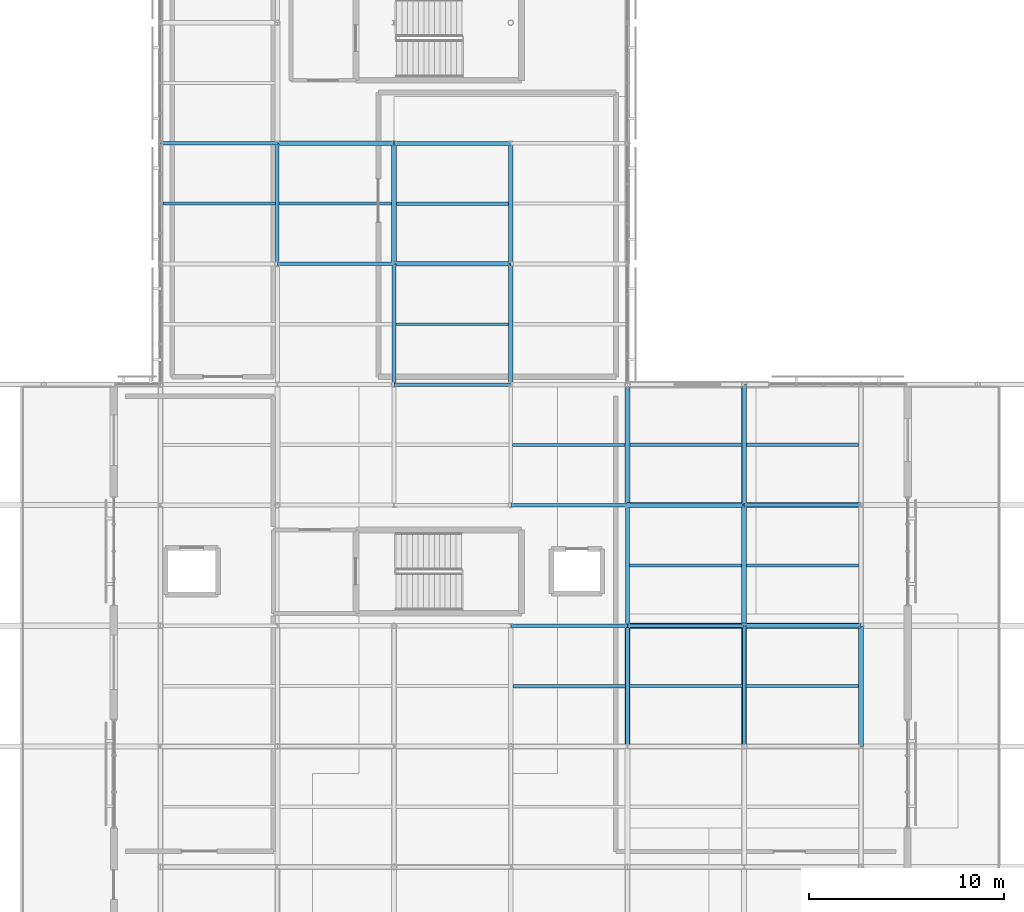
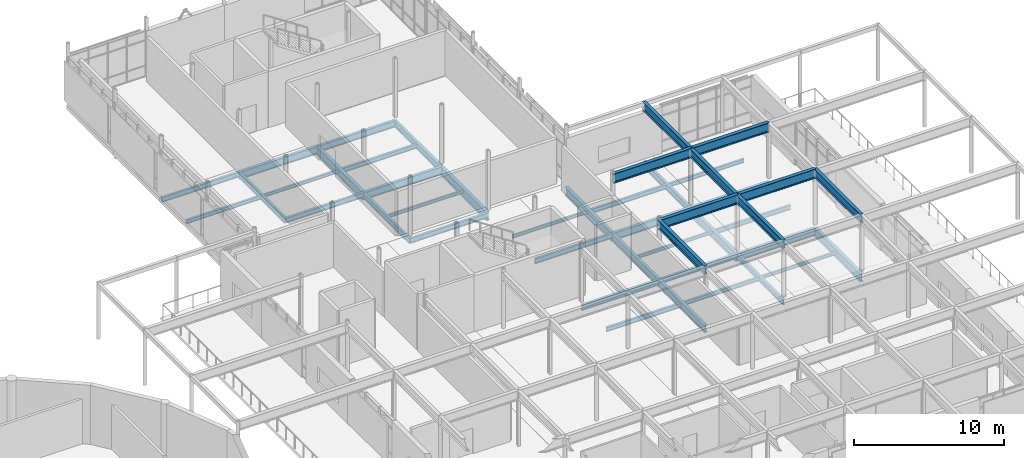
# One storey, part 30 of 48: 45 beams.
"""IFC4 building model written with IfcOpenShell, lengths in metres."""

from ifc_helpers import new_model, si_unit, direction, frame, origin, origin_2d, place, context, subcontext, project, spatial, i_section, extrude, material, material_profile, profile_set, type_object, element, save


model = new_model("IFC4")

# Units and contexts
model_context = context("Model", 3, precision=1e-05, world=origin(), true_north=direction((0.0, 1.0)))
body_context = subcontext(model_context, "Body", "Model", "MODEL_VIEW")
ifc_project = project(units=[si_unit("LENGTHUNIT", "METRE"), si_unit("AREAUNIT", "SQUARE_METRE"), si_unit("VOLUMEUNIT", "CUBIC_METRE"), si_unit("PLANEANGLEUNIT", "RADIAN"), si_unit("MASSUNIT", "GRAM", prefix="KILO")], contexts=[model_context])

# Site, building, storey
site_placement = place(None, origin())
site = spatial("IfcSite", under=ifc_project, at=site_placement, CompositionType="ELEMENT")
building_placement = place(site_placement, origin())
building = spatial("IfcBuilding", under=site, at=building_placement, Name="Mirzam Square Science Centre", CompositionType="ELEMENT")
storey_placement = place(building_placement, frame((0.0, 0.0, 20.39990234375)))
storey = spatial("IfcBuildingStorey", under=building, at=storey_placement, Name="L04", CompositionType="ELEMENT", Elevation=20.39990234375)

# Beams
ifc_material = material(Name="Steel S355", Category="steel")
ifc_material_profile_1 = material_profile(ifc_material, i_section(OverallWidth=0.1787109375, OverallDepth=0.409423828125, WebThickness=0.0087890625, FlangeThickness=0.014404296875, FilletRadius=0.01025390625, at=origin_2d()), Name="406x178x67UB")
ifc_profile_set_1 = profile_set([ifc_material_profile_1], Name="Steel S355")
beam_type_1 = type_object("IfcBeamType", Name="BM-UB406", PredefinedType="BEAM", material=ifc_profile_set_1)
for number, where, z_axis, x_axis, name in (
    (1, (138.0, 74.39990234375, -0.45458984375), (1.0, 0.0, 0.0), (0.0, 1.0, 0.0), "L04 girder X24-13"),
    (2, (132.0, 80.60009765625, -0.45458984375), (1.0, 0.0, 0.0), (0.0, 1.0, 0.0), "L04 girder X23-14"),
    (3, (126.0, 86.800048828125, -0.45458984375), (1.0, 0.0, 0.0), (0.0, 1.0, 0.0), "L04 girder X22-15"),
    (4, (120.0, 93.0, -0.45458984375), (1.0, 0.0, 0.0), (0.0, 1.0, 0.0), "L04 girder X21-16"),
    (5, (114.0, 99.199951171875, -0.45458984375), (1.0, 0.0, 0.0), (0.0, 1.0, 0.0), "L04 girder X20-17"),
):
    element("IfcBeam", number, at=place(storey_placement, frame(where, z_axis=z_axis, x_axis=x_axis)), inside=storey, type_object=beam_type_1, Name=name, PredefinedType="BEAM", context=body_context, shape_type="SweptSolid", body=[
        extrude(i_section(OverallWidth=0.1787109375, OverallDepth=0.409423828125, WebThickness=0.0087890625, FlangeThickness=0.014404296875, FilletRadius=0.01025390625, at=origin_2d()), origin(), (0.0, 0.0, 1.0), 6.0),
    ])
ifc_material_profile_2 = material_profile(ifc_material, i_section(OverallWidth=0.19140625, OverallDepth=0.4599609375, WebThickness=0.010009765625, FlangeThickness=0.01611328125, FilletRadius=0.01025390625, at=origin_2d()), Name="457x191x82UB")
ifc_profile_set_2 = profile_set([ifc_material_profile_2], Name="Steel S355")
beam_type_2 = type_object("IfcBeamType", Name="BM-UB457", PredefinedType="BEAM", material=ifc_profile_set_2)
beam_1_placement = place(storey_placement, frame((132.0, 74.39990234375, -0.47998046875), z_axis=(1.0, 0.0, 0.0), x_axis=(0.0, 1.0, 0.0)))
element("IfcBeam", 6, at=beam_1_placement, inside=storey, type_object=beam_type_2, Name="L04 girder X23-13", PredefinedType="BEAM", context=body_context, shape_type="SweptSolid", body=[
    extrude(i_section(OverallWidth=0.19140625, OverallDepth=0.4599609375, WebThickness=0.010009765625, FlangeThickness=0.01611328125, FilletRadius=0.01025390625, at=origin_2d()), origin(), (0.0, 0.0, 1.0), 6.0),
])
for number, where, z_axis, x_axis, name in (
    (7, (120.0, 93.0, -0.47998046875), (0.0, 1.0, 0.0), (-1.0, 0.0, 0.0), "L04 girder Y21-16"),
    (8, (126.0, 86.800048828125, -0.47998046875), (0.0, 1.0, 0.0), (-1.0, 0.0, 0.0), "L04 girder Y22-15"),
    (9, (144.0, 68.199951171875, -0.47998046875), (0.0, 1.0, 0.0), (-1.0, 0.0, 0.0), "L04 girder Y25-12"),
):
    element("IfcBeam", number, at=place(storey_placement, frame(where, z_axis=z_axis, x_axis=x_axis)), inside=storey, type_object=beam_type_2, Name=name, PredefinedType="BEAM", context=body_context, shape_type="SweptSolid", body=[
        extrude(i_section(OverallWidth=0.19140625, OverallDepth=0.4599609375, WebThickness=0.010009765625, FlangeThickness=0.01611328125, FilletRadius=0.01025390625, at=origin_2d()), origin(), (0.0, 0.0, 1.0), 6.199951171875),
    ])
ifc_material_profile_3 = material_profile(ifc_material, i_section(OverallWidth=0.2099609375, OverallDepth=0.53662109375, WebThickness=0.0107421875, FlangeThickness=0.017333984375, FilletRadius=0.0126953125, at=origin_2d()), Name="533x210x101UB")
ifc_profile_set_3 = profile_set([ifc_material_profile_3], Name="Steel S355")
beam_type_3 = type_object("IfcBeamType", Name="BM-UB533", PredefinedType="BEAM", material=ifc_profile_set_3)
for number, where, z_axis, x_axis, name in (
    (10, (144.0, 80.60009765625, -0.518310546875), (1.0, 0.0, 0.0), (0.0, 1.0, 0.0), "L04 girder X25-14"),
    (11, (126.0, 99.199951171875, -0.518310546875), (1.0, 0.0, 0.0), (0.0, 1.0, 0.0), "L04 girder X22-17"),
):
    element("IfcBeam", number, at=place(storey_placement, frame(where, z_axis=z_axis, x_axis=x_axis)), inside=storey, type_object=beam_type_3, Name=name, PredefinedType="BEAM", context=body_context, shape_type="SweptSolid", body=[
        extrude(i_section(OverallWidth=0.2099609375, OverallDepth=0.53662109375, WebThickness=0.0107421875, FlangeThickness=0.017333984375, FilletRadius=0.0126953125, at=origin_2d()), origin(), (0.0, 0.0, 1.0), 6.0),
    ])
for number, where, z_axis, x_axis, name in (
    (12, (132.0, 93.0, -0.518310546875), (0.0, 1.0, 0.0), (-1.0, 0.0, 0.0), "L04 girder Y23-16"),
    (13, (144.0, 80.60009765625, -0.518310546875), (0.0, 1.0, 0.0), (-1.0, 0.0, 0.0), "L04 girder Y25-14"),
):
    element("IfcBeam", number, at=place(storey_placement, frame(where, z_axis=z_axis, x_axis=x_axis)), inside=storey, type_object=beam_type_3, Name=name, PredefinedType="BEAM", context=body_context, shape_type="SweptSolid", body=[
        extrude(i_section(OverallWidth=0.2099609375, OverallDepth=0.53662109375, WebThickness=0.0107421875, FlangeThickness=0.017333984375, FilletRadius=0.0126953125, at=origin_2d()), origin(), (0.0, 0.0, 1.0), 6.199951171875),
    ])
ifc_material_profile_4 = material_profile(ifc_material, i_section(OverallWidth=0.22900390625, OverallDepth=0.6123046875, WebThickness=0.011962890625, FlangeThickness=0.01953125, FilletRadius=0.0126953125, at=origin_2d()), Name="610x229x125UB")
ifc_profile_set_4 = profile_set([ifc_material_profile_4], Name="Steel S355")
beam_type_4 = type_object("IfcBeamType", Name="BM-UB610", PredefinedType="BEAM", material=ifc_profile_set_4)
for number, where, z_axis, x_axis, name in (
    (14, (144.0, 74.39990234375, -0.555908203125), (1.0, 0.0, 0.0), (0.0, 1.0, 0.0), "L04 girder X25-13"),
    (15, (138.0, 80.60009765625, -0.555908203125), (1.0, 0.0, 0.0), (0.0, 1.0, 0.0), "L04 girder X24-14"),
    (16, (126.0, 93.0, -0.555908203125), (1.0, 0.0, 0.0), (0.0, 1.0, 0.0), "L04 girder X22-16"),
    (17, (120.0, 99.199951171875, -0.555908203125), (1.0, 0.0, 0.0), (0.0, 1.0, 0.0), "L04 girder X21-17"),
):
    element("IfcBeam", number, at=place(storey_placement, frame(where, z_axis=z_axis, x_axis=x_axis)), inside=storey, type_object=beam_type_4, Name=name, PredefinedType="BEAM", context=body_context, shape_type="SweptSolid", body=[
        extrude(i_section(OverallWidth=0.22900390625, OverallDepth=0.6123046875, WebThickness=0.011962890625, FlangeThickness=0.01953125, FilletRadius=0.0126953125, at=origin_2d()), origin(), (0.0, 0.0, 1.0), 6.0),
    ])
beam_2_placement = place(storey_placement, frame((138.0, 68.199951171875, -0.555908203125), z_axis=(0.0, 1.0, 0.0), x_axis=(-1.0, 0.0, 0.0)))
element("IfcBeam", 18, at=beam_2_placement, inside=storey, type_object=beam_type_4, Name="L04 girder Y24-12", PredefinedType="BEAM", context=body_context, shape_type="SweptSolid", body=[
    extrude(i_section(OverallWidth=0.22900390625, OverallDepth=0.6123046875, WebThickness=0.011962890625, FlangeThickness=0.01953125, FilletRadius=0.0126953125, at=origin_2d()), origin(), (0.0, 0.0, 1.0), 6.199951171875),
])
beam_3_placement = place(storey_placement, frame((138.0, 74.39990234375, -0.555908203125), z_axis=(0.0, 1.0, 0.0), x_axis=(-1.0, 0.0, 0.0)))
element("IfcBeam", 19, at=beam_3_placement, inside=storey, type_object=beam_type_4, Name="L04 girder Y24-13", PredefinedType="BEAM", context=body_context, shape_type="SweptSolid", body=[
    extrude(i_section(OverallWidth=0.22900390625, OverallDepth=0.6123046875, WebThickness=0.011962890625, FlangeThickness=0.01953125, FilletRadius=0.0126953125, at=origin_2d()), origin(), (0.0, 0.0, 1.0), 6.2001953125),
])
ifc_material_profile_5 = material_profile(ifc_material, i_section(OverallWidth=0.25439453125, OverallDepth=0.6875, WebThickness=0.01318359375, FlangeThickness=0.02099609375, FilletRadius=0.01513671875, at=origin_2d()), Name="686x254x152UB")
ifc_profile_set_5 = profile_set([ifc_material_profile_5], Name="Steel S355")
beam_type_5 = type_object("IfcBeamType", Name="BM-UB686", PredefinedType="BEAM", material=ifc_profile_set_5)
for number, where, z_axis, x_axis, name in (
    (20, (126.0, 93.0, -0.59375), (0.0, 1.0, 0.0), (-1.0, 0.0, 0.0), "L04 girder Y22-16"),
    (21, (132.0, 86.800048828125, -0.59375), (0.0, 1.0, 0.0), (-1.0, 0.0, 0.0), "L04 girder Y23-15"),
    (22, (138.0, 80.60009765625, -0.59375), (0.0, 1.0, 0.0), (-1.0, 0.0, 0.0), "L04 girder Y24-14"),
):
    element("IfcBeam", number, at=place(storey_placement, frame(where, z_axis=z_axis, x_axis=x_axis)), inside=storey, type_object=beam_type_5, Name=name, PredefinedType="BEAM", context=body_context, shape_type="SweptSolid", body=[
        extrude(i_section(OverallWidth=0.25439453125, OverallDepth=0.6875, WebThickness=0.01318359375, FlangeThickness=0.02099609375, FilletRadius=0.01513671875, at=origin_2d()), origin(), (0.0, 0.0, 1.0), 6.199951171875),
    ])
beam_4_placement = place(storey_placement, frame((144.0, 74.39990234375, -0.59375), z_axis=(0.0, 1.0, 0.0), x_axis=(-1.0, 0.0, 0.0)))
element("IfcBeam", 23, at=beam_4_placement, inside=storey, type_object=beam_type_5, Name="L04 girder Y25-13", PredefinedType="BEAM", context=body_context, shape_type="SweptSolid", body=[
    extrude(i_section(OverallWidth=0.25439453125, OverallDepth=0.6875, WebThickness=0.01318359375, FlangeThickness=0.02099609375, FilletRadius=0.01513671875, at=origin_2d()), origin(), (0.0, 0.0, 1.0), 6.2001953125),
])
for number, where, z_axis, x_axis, name in (
    (24, (150.0, 68.199951171875, -0.59375), (0.0, 1.0, 0.0), (-1.0, 0.0, 0.0), "L04 girder Y26-12"),
    (25, (138.0, 68.199951171875, 4.226318359375), (0.0, 1.0, 0.0), (-1.0, 0.0, 0.0), "Parasol roof girder X24 Y12-13"),
    (26, (144.0, 68.199951171875, 4.226318359375), (0.0, 1.0, 0.0), (-1.0, 0.0, 0.0), "Parasol roof girder X25 Y12-13"),
):
    element("IfcBeam", number, at=place(storey_placement, frame(where, z_axis=z_axis, x_axis=x_axis)), inside=storey, type_object=beam_type_5, Name=name, PredefinedType="BEAM", context=body_context, shape_type="SweptSolid", body=[
        extrude(i_section(OverallWidth=0.25439453125, OverallDepth=0.6875, WebThickness=0.01318359375, FlangeThickness=0.02099609375, FilletRadius=0.01513671875, at=origin_2d()), origin(), (0.0, 0.0, 1.0), 6.199951171875),
    ])
beam_5_placement = place(storey_placement, frame((144.0, 74.39990234375, 4.226318359375), z_axis=(0.0, 1.0, 0.0), x_axis=(-1.0, 0.0, 0.0)))
element("IfcBeam", 27, at=beam_5_placement, inside=storey, type_object=beam_type_5, Name="Parasol roof girder X25 Y13-14", PredefinedType="BEAM", context=body_context, shape_type="SweptSolid", body=[
    extrude(i_section(OverallWidth=0.25439453125, OverallDepth=0.6875, WebThickness=0.01318359375, FlangeThickness=0.02099609375, FilletRadius=0.01513671875, at=origin_2d()), origin(), (0.0, 0.0, 1.0), 6.2001953125),
])
for number, where, z_axis, x_axis, name in (
    (28, (144.0, 80.60009765625, 4.226318359375), (0.0, 1.0, 0.0), (-1.0, 0.0, 0.0), "Parasol roof girder X25 Y14-15"),
    (29, (150.0, 68.199951171875, 4.226318359375), (0.0, 1.0, 0.0), (-1.0, 0.0, 0.0), "Parasol roof girder X26 Y12-13"),
):
    element("IfcBeam", number, at=place(storey_placement, frame(where, z_axis=z_axis, x_axis=x_axis)), inside=storey, type_object=beam_type_5, Name=name, PredefinedType="BEAM", context=body_context, shape_type="SweptSolid", body=[
        extrude(i_section(OverallWidth=0.25439453125, OverallDepth=0.6875, WebThickness=0.01318359375, FlangeThickness=0.02099609375, FilletRadius=0.01513671875, at=origin_2d()), origin(), (0.0, 0.0, 1.0), 6.199951171875),
    ])
ifc_material_profile_6 = material_profile(ifc_material, i_section(OverallWidth=0.2666015625, OverallDepth=0.76220703125, WebThickness=0.014404296875, FlangeThickness=0.021484375, FilletRadius=0.0166015625, at=origin_2d()), Name="762x267x173UB")
ifc_profile_set_6 = profile_set([ifc_material_profile_6], Name="Steel S355")
beam_type_6 = type_object("IfcBeamType", Name="BM-UB762", PredefinedType="BEAM", material=ifc_profile_set_6)
for number, where, z_axis, x_axis, name in (
    (30, (138.0, 74.39990234375, 4.18896484375), (1.0, 0.0, 0.0), (0.0, 1.0, 0.0), "Parasol roof girder Y13 X24-25"),
    (31, (144.0, 74.39990234375, 4.18896484375), (1.0, 0.0, 0.0), (0.0, 1.0, 0.0), "Parasol roof girder Y13 X25-26"),
    (32, (138.0, 80.60009765625, 4.18896484375), (1.0, 0.0, 0.0), (0.0, 1.0, 0.0), "Parasol roof girder Y14 X24-25"),
    (33, (144.0, 80.60009765625, 4.18896484375), (1.0, 0.0, 0.0), (0.0, 1.0, 0.0), "Parasol roof girder Y14 X25-26"),
):
    element("IfcBeam", number, at=place(storey_placement, frame(where, z_axis=z_axis, x_axis=x_axis)), inside=storey, type_object=beam_type_6, Name=name, PredefinedType="BEAM", context=body_context, shape_type="SweptSolid", body=[
        extrude(i_section(OverallWidth=0.2666015625, OverallDepth=0.76220703125, WebThickness=0.014404296875, FlangeThickness=0.021484375, FilletRadius=0.0166015625, at=origin_2d()), origin(), (0.0, 0.0, 1.0), 6.0),
    ])
ifc_material_profile_7 = material_profile(ifc_material, i_section(OverallWidth=0.146484375, OverallDepth=0.256103515625, WebThickness=0.00634765625, FlangeThickness=0.010986328125, FilletRadius=0.007568359375, at=origin_2d()), Name="254x146x37UB")
ifc_profile_set_7 = profile_set([ifc_material_profile_7], Name="Steel S355")
beam_type_7 = type_object("IfcBeamType", Name="JS-UB254", PredefinedType="JOIST", material=ifc_profile_set_7)
for number, where, z_axis, x_axis, name in (
    (34, (120.095703125, 96.10009765625, -0.3779296875), (1.0, 0.0, 0.0), (0.0, 1.0, 0.0), "L04 composite joist 21-16"),
    (35, (126.095703125, 89.89990234375, -0.3779296875), (1.0, 0.0, 0.0), (0.0, 1.0, 0.0), "L04 composite joist 22-15"),
    (36, (132.095703125, 83.699951171875, -0.3779296875), (1.0, 0.0, 0.0), (0.0, 1.0, 0.0), "L04 composite joist 23-14"),
):
    element("IfcBeam", number, at=place(storey_placement, frame(where, z_axis=z_axis, x_axis=x_axis)), inside=storey, type_object=beam_type_7, Name=name, PredefinedType="JOIST", context=body_context, shape_type="SweptSolid", body=[
        extrude(i_section(OverallWidth=0.146484375, OverallDepth=0.256103515625, WebThickness=0.00634765625, FlangeThickness=0.010986328125, FilletRadius=0.007568359375, at=origin_2d()), origin(), (0.0, 0.0, 1.0), 5.777099609375),
    ])
beam_6_placement = place(storey_placement, frame((138.114501953125, 77.5, -0.3779296875), z_axis=(1.0, 0.0, 0.0), x_axis=(0.0, 1.0, 0.0)))
element("IfcBeam", 37, at=beam_6_placement, inside=storey, type_object=beam_type_7, Name="L04 composite joist 24-13", PredefinedType="JOIST", context=body_context, shape_type="SweptSolid", body=[
    extrude(i_section(OverallWidth=0.146484375, OverallDepth=0.256103515625, WebThickness=0.00634765625, FlangeThickness=0.010986328125, FilletRadius=0.007568359375, at=origin_2d()), origin(), (0.0, 0.0, 1.0), 5.75830078125),
])
beam_7_placement = place(storey_placement, frame((144.095703125, 71.300048828125, -0.3779296875), z_axis=(1.0, 0.0, 0.0), x_axis=(0.0, 1.0, 0.0)))
element("IfcBeam", 38, at=beam_7_placement, inside=storey, type_object=beam_type_7, Name="L04 composite joist 25-12", PredefinedType="JOIST", context=body_context, shape_type="SweptSolid", body=[
    extrude(i_section(OverallWidth=0.146484375, OverallDepth=0.256103515625, WebThickness=0.00634765625, FlangeThickness=0.010986328125, FilletRadius=0.007568359375, at=origin_2d()), origin(), (0.0, 0.0, 1.0), 5.777099609375),
])
ifc_material_profile_8 = material_profile(ifc_material, i_section(OverallWidth=0.165771484375, OverallDepth=0.306640625, WebThickness=0.006591796875, FlangeThickness=0.01171875, FilletRadius=0.0087890625, at=origin_2d()), Name="305x165x46UB")
ifc_profile_set_8 = profile_set([ifc_material_profile_8], Name="Steel S355")
beam_type_8 = type_object("IfcBeamType", Name="JS-UB305", PredefinedType="JOIST", material=ifc_profile_set_8)
beam_8_placement = place(storey_placement, frame((114.125, 96.10009765625, -0.4033203125), z_axis=(1.0, 0.0, 0.0), x_axis=(0.0, 1.0, 0.0)))
element("IfcBeam", 39, at=beam_8_placement, inside=storey, type_object=beam_type_8, Name="L04 composite joist 20-16", PredefinedType="JOIST", context=body_context, shape_type="SweptSolid", body=[
    extrude(i_section(OverallWidth=0.165771484375, OverallDepth=0.306640625, WebThickness=0.006591796875, FlangeThickness=0.01171875, FilletRadius=0.0087890625, at=origin_2d()), origin(), (0.0, 0.0, 1.0), 5.779296875),
])
beam_9_placement = place(storey_placement, frame((138.114501953125, 71.300048828125, -0.4033203125), z_axis=(1.0, 0.0, 0.0), x_axis=(0.0, 1.0, 0.0)))
element("IfcBeam", 40, at=beam_9_placement, inside=storey, type_object=beam_type_8, Name="L04 composite joist 24-12", PredefinedType="JOIST", context=body_context, shape_type="SweptSolid", body=[
    extrude(i_section(OverallWidth=0.165771484375, OverallDepth=0.306640625, WebThickness=0.006591796875, FlangeThickness=0.01171875, FilletRadius=0.0087890625, at=origin_2d()), origin(), (0.0, 0.0, 1.0), 5.789794921875),
])
beam_10_placement = place(storey_placement, frame((144.10498046875, 83.699951171875, -0.4033203125), z_axis=(1.0, 0.0, 0.0), x_axis=(0.0, 1.0, 0.0)))
element("IfcBeam", 41, at=beam_10_placement, inside=storey, type_object=beam_type_8, Name="L04 composite joist 25-14", PredefinedType="JOIST", context=body_context, shape_type="SweptSolid", body=[
    extrude(i_section(OverallWidth=0.165771484375, OverallDepth=0.306640625, WebThickness=0.006591796875, FlangeThickness=0.01171875, FilletRadius=0.0087890625, at=origin_2d()), origin(), (0.0, 0.0, 1.0), 5.77001953125),
])
ifc_material_profile_9 = material_profile(ifc_material, i_section(OverallWidth=0.172119140625, OverallDepth=0.35791015625, WebThickness=0.008056640625, FlangeThickness=0.012939453125, FilletRadius=0.01025390625, at=origin_2d()), Name="356x171x57UB")
ifc_profile_set_9 = profile_set([ifc_material_profile_9], Name="Steel S355")
beam_type_9 = type_object("IfcBeamType", Name="JS-UB356", PredefinedType="JOIST", material=ifc_profile_set_9)
beam_11_placement = place(storey_placement, frame((126.127197265625, 96.10009765625, -0.428955078125), z_axis=(1.0, 0.0, 0.0), x_axis=(0.0, 1.0, 0.0)))
element("IfcBeam", 42, at=beam_11_placement, inside=storey, type_object=beam_type_9, Name="L04 composite joist 22-16", PredefinedType="JOIST", context=body_context, shape_type="SweptSolid", body=[
    extrude(i_section(OverallWidth=0.172119140625, OverallDepth=0.35791015625, WebThickness=0.008056640625, FlangeThickness=0.012939453125, FilletRadius=0.01025390625, at=origin_2d()), origin(), (0.0, 0.0, 1.0), 5.767822265625),
])
beam_12_placement = place(storey_placement, frame((132.127197265625, 71.300048828125, -0.428955078125), z_axis=(1.0, 0.0, 0.0), x_axis=(0.0, 1.0, 0.0)))
element("IfcBeam", 43, at=beam_12_placement, inside=storey, type_object=beam_type_9, Name="L04 composite joist 23-12", PredefinedType="JOIST", context=body_context, shape_type="SweptSolid", body=[
    extrude(i_section(OverallWidth=0.172119140625, OverallDepth=0.35791015625, WebThickness=0.008056640625, FlangeThickness=0.012939453125, FilletRadius=0.01025390625, at=origin_2d()), origin(), (0.0, 0.0, 1.0), 5.75830078125),
])
beam_13_placement = place(storey_placement, frame((138.127197265625, 83.699951171875, -0.428955078125), z_axis=(1.0, 0.0, 0.0), x_axis=(0.0, 1.0, 0.0)))
element("IfcBeam", 44, at=beam_13_placement, inside=storey, type_object=beam_type_9, Name="L04 composite joist 24-14", PredefinedType="JOIST", context=body_context, shape_type="SweptSolid", body=[
    extrude(i_section(OverallWidth=0.172119140625, OverallDepth=0.35791015625, WebThickness=0.008056640625, FlangeThickness=0.012939453125, FilletRadius=0.01025390625, at=origin_2d()), origin(), (0.0, 0.0, 1.0), 5.767822265625),
])
beam_14_placement = place(storey_placement, frame((144.127197265625, 77.5, -0.428955078125), z_axis=(1.0, 0.0, 0.0), x_axis=(0.0, 1.0, 0.0)))
element("IfcBeam", 45, at=beam_14_placement, inside=storey, type_object=beam_type_9, Name="L04 composite joist 25-13", PredefinedType="JOIST", context=body_context, shape_type="SweptSolid", body=[
    extrude(i_section(OverallWidth=0.172119140625, OverallDepth=0.35791015625, WebThickness=0.008056640625, FlangeThickness=0.012939453125, FilletRadius=0.01025390625, at=origin_2d()), origin(), (0.0, 0.0, 1.0), 5.747802734375),
])

save(model, "model.ifc")
